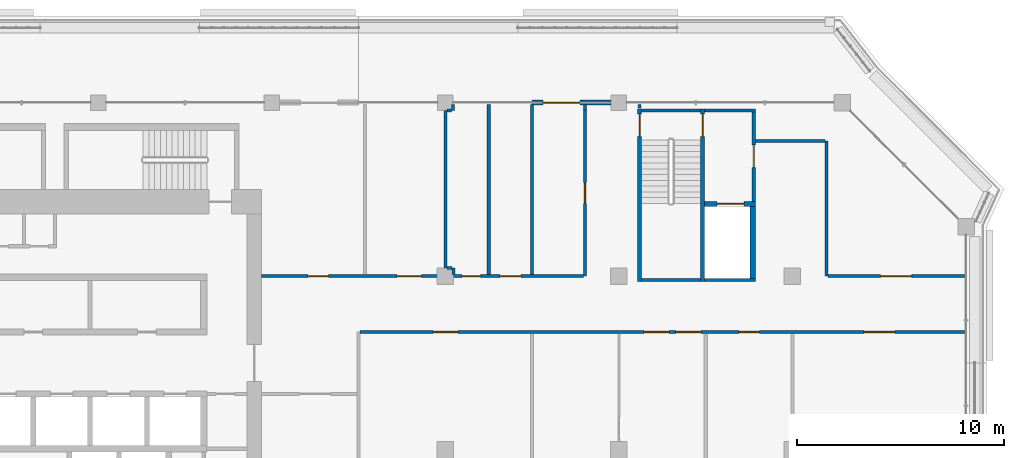
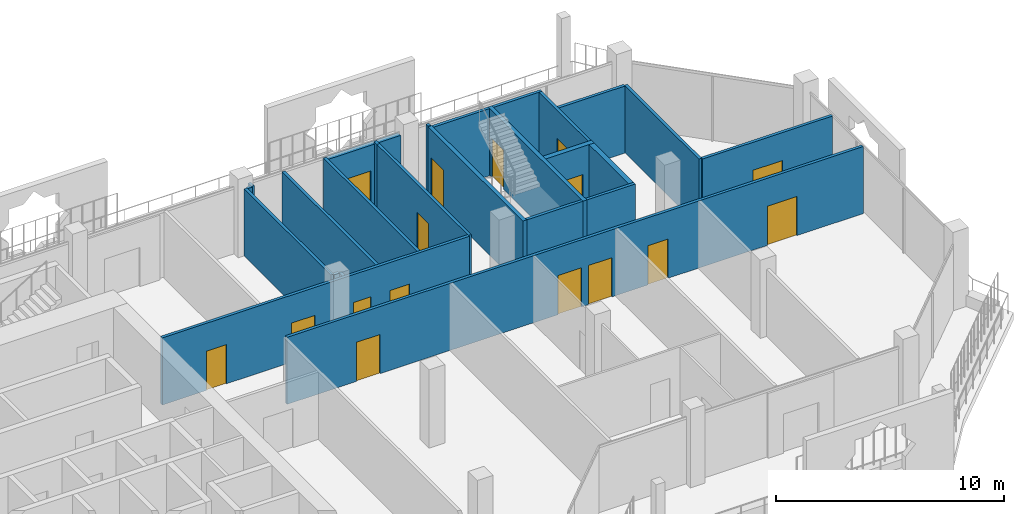
# One storey, part 13 of 21: 25 walls, 16 doors, 16 openings.
"""IFC4 building model written with IfcOpenShell, lengths in metres."""

from ifc_helpers import new_model, si_unit, direction, frame, frame_2d, origin, place, context, subcontext, project, spatial, rectangle, extrude, material, layer, layer_set, type_object, element, fill, save


model = new_model("IFC4")

# Units and contexts
model_context = context("Model", 3, precision=1e-05, world=origin(), true_north=direction((0.0, 1.0)))
body_context = subcontext(model_context, "Body", "Model", "MODEL_VIEW")
ifc_project = project(units=[si_unit("LENGTHUNIT", "METRE"), si_unit("AREAUNIT", "SQUARE_METRE"), si_unit("VOLUMEUNIT", "CUBIC_METRE"), si_unit("PLANEANGLEUNIT", "RADIAN"), si_unit("MASSUNIT", "GRAM", prefix="KILO")], contexts=[model_context])

# Site, building, storey
site_placement = place(None, origin())
site = spatial("IfcSite", under=ifc_project, at=site_placement, CompositionType="ELEMENT")
building_placement = place(site_placement, origin())
building = spatial("IfcBuilding", under=site, at=building_placement, Name="Kawkab Arch Medical Tower", CompositionType="ELEMENT")
storey_placement = place(building_placement, frame((0.0, 0.0, 311.199951171875)))
storey = spatial("IfcBuildingStorey", under=building, at=storey_placement, Name="L72", CompositionType="ELEMENT", Elevation=311.199951171875)

# Wall, opening, door
ifc_material_1 = material(Name="Gypsum board on steel studs", Category="steel")
ifc_layer_1 = layer(ifc_material_1, 0.14990234375)
ifc_layer_set_1 = layer_set([ifc_layer_1], Name="Gypsum board on steel studs")
wall_type_1 = type_object("IfcWallType", Name="Core room partition 150", PredefinedType="PARTITIONING", material=ifc_layer_set_1)
wall_1_placement = place(storey_placement, frame((48.52490234375, -4.77490234375, 0.0), z_axis=(0.0, 0.0, 1.0), x_axis=(0.0, 1.0, 0.0)))
wall_1 = element("IfcWall", 1, at=wall_1_placement, inside=storey, type_object=wall_type_1, Name="L72 core room partition", PredefinedType="PARTITIONING", context=body_context, shape_type="SweptSolid", body=[
    extrude(rectangle(XDim=4.324951171875, YDim=0.14990234375, at=frame_2d((2.16259765625, 0.0))), origin(), (0.0, 0.0, 1.0), 3.60009765625),
])
opening_1_placement = place(wall_1_placement, frame((1.625, 0.0, 0.0)))
opening_1 = element("IfcOpeningElement", 2, at=opening_1_placement, cuts=wall_1, Name="Opening FD", PredefinedType="OPENING", context=body_context, shape_type="SweptSolid", body=[
    extrude(rectangle(XDim=1.10009765625, YDim=2.10009765625, at=frame_2d((0.550048828125, 1.050048828125))), frame((0.0, 0.0849609375, 0.0), z_axis=(0.0, -1.0, 0.0), x_axis=(1.0, 0.0, 0.0)), (0.0, 0.0, 1.0), 0.169921875),
])
ifc_material_2 = material(Name="Hollow metal fire door leaf")
door_type_1 = type_object("IfcDoorType", Name="Firefighting lobby door 1100", OperationType="SINGLE_SWING_LEFT", PredefinedType="DOOR", material=ifc_material_2)
door_1_placement = place(opening_1_placement, origin())
door_1 = element("IfcDoor", 3, at=door_1_placement, inside=storey, type_object=door_type_1, Name="L72 Service lift lobby door SV1", OperationType="SINGLE_SWING_LEFT", OverallHeight=2.10009765625, OverallWidth=1.10009765625, PredefinedType="DOOR", context=body_context, shape_type="SweptSolid", body=[
    extrude(rectangle(XDim=1.10009765625, YDim=2.10009765625, at=frame_2d((0.550048828125, 1.050048828125))), frame((0.0, 0.02490234375, 0.0), z_axis=(0.0, -1.0, 0.0), x_axis=(1.0, 0.0, 0.0)), (0.0, 0.0, 1.0), 0.050048828125),
])
fill(opening_1, door_1)

ifc_material_3 = material(Name="Concrete C60/75", Category="concrete")
ifc_layer_2 = layer(ifc_material_3, 0.25)
ifc_layer_set_2 = layer_set([ifc_layer_2], Name="Concrete C60/75")
wall_type_2 = type_object("IfcWallType", Name="Core shear wall 250 C60/75", PredefinedType="SHEAR", material=ifc_layer_set_2)
wall_2_placement = place(storey_placement, frame((46.14990234375, -4.89990234375, 0.0), z_axis=(0.0, 0.0, 1.0), x_axis=(1.0, 0.0, 0.0)))
wall_2 = element("IfcWall", 4, at=wall_2_placement, inside=storey, type_object=wall_type_2, Name="L72 core shear wall", PredefinedType="SHEAR", context=body_context, shape_type="SweptSolid", body=[
    extrude(rectangle(XDim=2.4501953125, YDim=0.25, at=frame_2d((1.22509765625, 0.0))), origin(), (0.0, 0.0, 1.0), 3.60009765625),
])
opening_2_placement = place(wall_2_placement, frame((0.60009765625, 0.0, 0.0)))
opening_2 = element("IfcOpeningElement", 5, at=opening_2_placement, cuts=wall_2, Name="Opening LD2", PredefinedType="OPENING", context=body_context, shape_type="SweptSolid", body=[
    extrude(rectangle(XDim=1.300048828125, YDim=2.10009765625, at=frame_2d((0.64990234375, 1.050048828125))), frame((0.0, 0.135009765625, 0.0), z_axis=(0.0, -1.0, 0.0), x_axis=(1.0, 0.0, 0.0)), (0.0, 0.0, 1.0), 0.27001953125),
])
ifc_material_4 = material(Name="Stainless steel lift door leaf", Category="steel")
door_type_2 = type_object("IfcDoorType", Name="Lift landing door 1300", OperationType="DOUBLE_DOOR_SLIDING", PredefinedType="DOOR", material=ifc_material_4)
door_2_placement = place(opening_2_placement, origin())
door_2 = element("IfcDoor", 6, at=door_2_placement, inside=storey, type_object=door_type_2, Name="L72 Lift landing door SV1", OperationType="DOUBLE_DOOR_SLIDING", OverallHeight=2.10009765625, OverallWidth=1.300048828125, PredefinedType="DOOR", context=body_context, shape_type="SweptSolid", body=[
    extrude(rectangle(XDim=1.300048828125, YDim=2.10009765625, at=frame_2d((0.64990234375, 1.050048828125))), frame((0.0, 0.02490234375, 0.0), z_axis=(0.0, -1.0, 0.0), x_axis=(1.0, 0.0, 0.0)), (0.0, 0.0, 1.0), 0.050048828125),
])
fill(opening_2, door_2)

# Wall
wall_3_placement = place(storey_placement, frame((48.47509765625, -8.5, 0.0), z_axis=(0.0, 0.0, 1.0), x_axis=(0.0, 1.0, 0.0)))
element("IfcWall", 7, at=wall_3_placement, inside=storey, type_object=wall_type_2, Name="L72 core shear wall", PredefinedType="SHEAR", context=body_context, shape_type="SweptSolid", body=[
    extrude(rectangle(XDim=3.47509765625, YDim=0.25, at=frame_2d((1.737548828125, 0.0))), origin(), (0.0, 0.0, 1.0), 3.60009765625),
])

# Wall, opening, door
ifc_material_5 = material(Name="Bronze clad insulated wall panel")
ifc_layer_3 = layer(ifc_material_5, 0.25)
ifc_layer_set_3 = layer_set([ifc_layer_3], Name="Bronze clad insulated wall panel")
wall_type_3 = type_object("IfcWallType", Name="External wall bay 250", PredefinedType="SOLIDWALL", material=ifc_layer_set_3)
wall_4_placement = place(storey_placement, frame((41.625, 0.0, 0.0), z_axis=(0.0, 0.0, 1.0), x_axis=(-1.0, 0.0, 0.0)))
wall_4 = element("IfcWall", 8, at=wall_4_placement, inside=storey, type_object=wall_type_3, Name="External wall bay L72.R15.2.1", PredefinedType="SOLIDWALL", context=body_context, shape_type="SweptSolid", body=[
    extrude(rectangle(XDim=3.824951171875, YDim=0.25, at=frame_2d((1.91259765625, 0.0))), origin(), (0.0, 0.0, 1.0), 3.47998046875),
])
opening_3_placement = place(wall_4_placement, frame((1.512451171875, 0.0, 0.0)))
opening_3 = element("IfcOpeningElement", 9, at=opening_3_placement, cuts=wall_4, Name="Opening W67-701", PredefinedType="OPENING", context=body_context, shape_type="SweptSolid", body=[
    extrude(rectangle(XDim=1.800048828125, YDim=2.10009765625, at=frame_2d((0.89990234375, 1.050048828125))), frame((0.0, 0.135009765625, 0.0), z_axis=(0.0, -1.0, 0.0), x_axis=(1.0, 0.0, 0.0)), (0.0, 0.0, 1.0), 0.27001953125),
])
ifc_material_6 = material(Name="Bronze anodised aluminium door with tinted glass", Category="aluminium")
door_type_3 = type_object("IfcDoorType", Name="Double external door 1800 x 2100", OperationType="DOUBLE_DOOR_SINGLE_SWING", PredefinedType="DOOR", material=ifc_material_6)
door_3_placement = place(opening_3_placement, origin())
door_3 = element("IfcDoor", 10, at=door_3_placement, inside=storey, type_object=door_type_3, Name="External door L72.R15.2.1", OperationType="DOUBLE_DOOR_SINGLE_SWING", OverallHeight=2.10009765625, OverallWidth=1.800048828125, PredefinedType="DOOR", context=body_context, shape_type="SweptSolid", body=[
    extrude(rectangle(XDim=1.800048828125, YDim=2.10009765625, at=frame_2d((0.89990234375, 1.050048828125))), frame((0.0, 0.02490234375, 0.0), z_axis=(0.0, -1.0, 0.0), x_axis=(1.0, 0.0, 0.0)), (0.0, 0.0, 1.0), 0.050048828125),
])
fill(opening_3, door_3)

# Wall, openings, doors
ifc_material_7 = material(Name="Gypsum board partition on steel studs, mineral wool", Category="steel")
ifc_layer_4 = layer(ifc_material_7, 0.14990234375)
ifc_layer_set_4 = layer_set([ifc_layer_4], Name="Gypsum board partition on steel studs, mineral wool")
wall_type_4 = type_object("IfcWallType", Name="Partition 150", PredefinedType="PARTITIONING", material=ifc_layer_set_4)
wall_5_placement = place(storey_placement, frame((29.47509765625, -11.10009765625, 0.0), z_axis=(0.0, 0.0, 1.0), x_axis=(1.0, 0.0, 0.0)))
wall_5 = element("IfcWall", 11, at=wall_5_placement, inside=storey, type_object=wall_type_4, Name="Partition 150 w011", PredefinedType="PARTITIONING", context=body_context, shape_type="SweptSolid", body=[
    extrude(rectangle(XDim=29.244873046875, YDim=0.14990234375, at=frame_2d((14.62255859375, 0.0))), origin(), (0.0, 0.0, 1.0), 3.60009765625),
])
opening_4_placement = place(wall_5_placement, frame((3.52490234375, 0.0, 0.0)))
opening_4 = element("IfcOpeningElement", 12, at=opening_4_placement, cuts=wall_5, Name="Opening W67-016", PredefinedType="OPENING", context=body_context, shape_type="SweptSolid", body=[
    extrude(rectangle(XDim=1.199951171875, YDim=2.10009765625, at=frame_2d((0.60009765625, 1.050048828125))), frame((0.0, 0.0849609375, 0.0), z_axis=(0.0, -1.0, 0.0), x_axis=(1.0, 0.0, 0.0)), (0.0, 0.0, 1.0), 0.169921875),
])
opening_5_placement = place(wall_5_placement, frame((15.284912109375, 0.0, 0.0)))
opening_5 = element("IfcOpeningElement", 13, at=opening_5_placement, cuts=wall_5, Name="Opening W67-017", PredefinedType="OPENING", context=body_context, shape_type="SweptSolid", body=[
    extrude(rectangle(XDim=1.199951171875, YDim=2.10009765625, at=frame_2d((0.60009765625, 1.050048828125))), frame((0.0, 0.0849609375, 0.0), z_axis=(0.0, -1.0, 0.0), x_axis=(1.0, 0.0, 0.0)), (0.0, 0.0, 1.0), 0.169921875),
])
opening_6_placement = place(wall_5_placement, frame((13.7451171875, 0.0, 0.0)))
opening_6 = element("IfcOpeningElement", 14, at=opening_6_placement, cuts=wall_5, Name="Opening W67-018", PredefinedType="OPENING", context=body_context, shape_type="SweptSolid", body=[
    extrude(rectangle(XDim=1.199951171875, YDim=2.10009765625, at=frame_2d((0.60009765625, 1.050048828125))), frame((0.0, 0.0849609375, 0.0), z_axis=(0.0, -1.0, 0.0), x_axis=(1.0, 0.0, 0.0)), (0.0, 0.0, 1.0), 0.169921875),
])
opening_7_placement = place(wall_5_placement, frame((18.324951171875, 0.0, 0.0)))
opening_7 = element("IfcOpeningElement", 15, at=opening_7_placement, cuts=wall_5, Name="Opening W67-010", PredefinedType="OPENING", context=body_context, shape_type="SweptSolid", body=[
    extrude(rectangle(XDim=1.0, YDim=2.10009765625, at=frame_2d((0.5, 1.050048828125))), frame((0.0, 0.0849609375, 0.0), z_axis=(0.0, -1.0, 0.0), x_axis=(1.0, 0.0, 0.0)), (0.0, 0.0, 1.0), 0.169921875),
])
opening_8_placement = place(wall_5_placement, frame((24.375, 0.0, 0.0)))
opening_8 = element("IfcOpeningElement", 16, at=opening_8_placement, cuts=wall_5, Name="Opening W67-003", PredefinedType="OPENING", context=body_context, shape_type="SweptSolid", body=[
    extrude(rectangle(XDim=1.5, YDim=2.10009765625, at=frame_2d((0.75, 1.050048828125))), frame((0.0, 0.0849609375, 0.0), z_axis=(0.0, -1.0, 0.0), x_axis=(1.0, 0.0, 0.0)), (0.0, 0.0, 1.0), 0.169921875),
])
ifc_material_8 = material(Name="Hollow metal door leaf")
door_type_4 = type_object("IfcDoorType", Name="Double door 1500x2100 FD30S", OperationType="NOTDEFINED", PredefinedType="DOOR", material=ifc_material_8)
door_4_placement = place(opening_8_placement, origin())
door_4 = element("IfcDoor", 17, at=door_4_placement, inside=storey, type_object=door_type_4, Name="Door W67-003", OperationType="DOUBLE_DOOR_SINGLE_SWING", OverallHeight=2.10009765625, OverallWidth=1.5, PredefinedType="DOOR", context=body_context, shape_type="SweptSolid", body=[
    extrude(rectangle(XDim=1.5, YDim=2.10009765625, at=frame_2d((0.75, 1.050048828125))), frame((0.0, 0.02490234375, 0.0), z_axis=(0.0, -1.0, 0.0), x_axis=(1.0, 0.0, 0.0)), (0.0, 0.0, 1.0), 0.050048828125),
])
fill(opening_8, door_4)
ifc_material_9 = material(Name="Hollow metal door leaf")
door_type_5 = type_object("IfcDoorType", Name="Single door 1000x2100 FD30S", OperationType="NOTDEFINED", PredefinedType="DOOR", material=ifc_material_9)
door_5_placement = place(opening_7_placement, origin())
door_5 = element("IfcDoor", 18, at=door_5_placement, inside=storey, type_object=door_type_5, Name="Door W67-010", OperationType="SINGLE_SWING_LEFT", OverallHeight=2.10009765625, OverallWidth=1.0, PredefinedType="DOOR", context=body_context, shape_type="SweptSolid", body=[
    extrude(rectangle(XDim=1.0, YDim=2.10009765625, at=frame_2d((0.5, 1.050048828125))), frame((0.0, 0.02490234375, 0.0), z_axis=(0.0, -1.0, 0.0), x_axis=(1.0, 0.0, 0.0)), (0.0, 0.0, 1.0), 0.050048828125),
])
fill(opening_7, door_5)
ifc_material_10 = material(Name="Hollow metal door leaf")
door_type_6 = type_object("IfcDoorType", Name="Single door 1200x2100 FD30S", OperationType="NOTDEFINED", PredefinedType="DOOR", material=ifc_material_10)
door_6_placement = place(opening_4_placement, origin())
door_6 = element("IfcDoor", 19, at=door_6_placement, inside=storey, type_object=door_type_6, Name="Door W67-016", OperationType="SINGLE_SWING_RIGHT", OverallHeight=2.10009765625, OverallWidth=1.199951171875, PredefinedType="DOOR", context=body_context, shape_type="SweptSolid", body=[
    extrude(rectangle(XDim=1.199951171875, YDim=2.10009765625, at=frame_2d((0.60009765625, 1.050048828125))), frame((0.0, 0.02490234375, 0.0), z_axis=(0.0, -1.0, 0.0), x_axis=(1.0, 0.0, 0.0)), (0.0, 0.0, 1.0), 0.050048828125),
])
fill(opening_4, door_6)
door_7_placement = place(opening_5_placement, origin())
door_7 = element("IfcDoor", 20, at=door_7_placement, inside=storey, type_object=door_type_6, Name="Door W67-017", OperationType="SINGLE_SWING_LEFT", OverallHeight=2.10009765625, OverallWidth=1.199951171875, PredefinedType="DOOR", context=body_context, shape_type="SweptSolid", body=[
    extrude(rectangle(XDim=1.199951171875, YDim=2.10009765625, at=frame_2d((0.60009765625, 1.050048828125))), frame((0.0, 0.02490234375, 0.0), z_axis=(0.0, -1.0, 0.0), x_axis=(1.0, 0.0, 0.0)), (0.0, 0.0, 1.0), 0.050048828125),
])
fill(opening_5, door_7)
door_8_placement = place(opening_6_placement, origin())
door_8 = element("IfcDoor", 21, at=door_8_placement, inside=storey, type_object=door_type_6, Name="Door W67-018", OperationType="SINGLE_SWING_LEFT", OverallHeight=2.10009765625, OverallWidth=1.199951171875, PredefinedType="DOOR", context=body_context, shape_type="SweptSolid", body=[
    extrude(rectangle(XDim=1.199951171875, YDim=2.10009765625, at=frame_2d((0.60009765625, 1.050048828125))), frame((0.0, 0.02490234375, 0.0), z_axis=(0.0, -1.0, 0.0), x_axis=(1.0, 0.0, 0.0)), (0.0, 0.0, 1.0), 0.050048828125),
])
fill(opening_6, door_8)

wall_6_placement = place(storey_placement, frame((24.699951171875, -8.39990234375, 0.0), z_axis=(0.0, 0.0, 1.0), x_axis=(1.0, 0.0, 0.0)))
wall_6 = element("IfcWall", 22, at=wall_6_placement, inside=storey, type_object=wall_type_4, Name="Partition 150 w013", PredefinedType="PARTITIONING", context=body_context, shape_type="SweptSolid", body=[
    extrude(rectangle(XDim=15.58203125, YDim=0.14990234375, at=frame_2d((7.791015625, 0.0))), origin(), (0.0, 0.0, 1.0), 3.60009765625),
])
opening_9_placement = place(wall_6_placement, frame((2.25, 0.0, 0.0)))
opening_9 = element("IfcOpeningElement", 23, at=opening_9_placement, cuts=wall_6, Name="Opening W67-009", PredefinedType="OPENING", context=body_context, shape_type="SweptSolid", body=[
    extrude(rectangle(XDim=1.0, YDim=2.10009765625, at=frame_2d((0.5, 1.050048828125))), frame((0.0, 0.0849609375, 0.0), z_axis=(0.0, -1.0, 0.0), x_axis=(1.0, 0.0, 0.0)), (0.0, 0.0, 1.0), 0.169921875),
])
opening_10_placement = place(wall_6_placement, frame((6.550048828125, 0.0, 0.0)))
opening_10 = element("IfcOpeningElement", 24, at=opening_10_placement, cuts=wall_6, Name="Opening W67-015", PredefinedType="OPENING", context=body_context, shape_type="SweptSolid", body=[
    extrude(rectangle(XDim=1.199951171875, YDim=2.10009765625, at=frame_2d((0.60009765625, 1.050048828125))), frame((0.0, 0.0849609375, 0.0), z_axis=(0.0, -1.0, 0.0), x_axis=(1.0, 0.0, 0.0)), (0.0, 0.0, 1.0), 0.169921875),
])
opening_11_placement = place(wall_6_placement, frame((9.699951171875, 0.0, 0.0)))
opening_11 = element("IfcOpeningElement", 25, at=opening_11_placement, cuts=wall_6, Name="Opening W67-005", PredefinedType="OPENING", context=body_context, shape_type="SweptSolid", body=[
    extrude(rectangle(XDim=0.89990234375, YDim=2.10009765625, at=frame_2d((0.449951171875, 1.050048828125))), frame((0.0, 0.0849609375, 0.0), z_axis=(0.0, -1.0, 0.0), x_axis=(1.0, 0.0, 0.0)), (0.0, 0.0, 1.0), 0.169921875),
])
opening_12_placement = place(wall_6_placement, frame((11.550048828125, 0.0, 0.0)))
opening_12 = element("IfcOpeningElement", 26, at=opening_12_placement, cuts=wall_6, Name="Opening W67-008", PredefinedType="OPENING", context=body_context, shape_type="SweptSolid", body=[
    extrude(rectangle(XDim=1.0, YDim=2.10009765625, at=frame_2d((0.5, 1.050048828125))), frame((0.0, 0.0849609375, 0.0), z_axis=(0.0, -1.0, 0.0), x_axis=(1.0, 0.0, 0.0)), (0.0, 0.0, 1.0), 0.169921875),
])
ifc_material_11 = material(Name="Timber door leaf", Category="wood")
door_type_7 = type_object("IfcDoorType", Name="Single door 1000x2100", OperationType="NOTDEFINED", PredefinedType="DOOR", material=ifc_material_11)
door_9_placement = place(opening_12_placement, origin())
door_9 = element("IfcDoor", 27, at=door_9_placement, inside=storey, type_object=door_type_7, Name="Door W67-008", OperationType="SINGLE_SWING_RIGHT", OverallHeight=2.10009765625, OverallWidth=1.0, PredefinedType="DOOR", context=body_context, shape_type="SweptSolid", body=[
    extrude(rectangle(XDim=1.0, YDim=2.10009765625, at=frame_2d((0.5, 1.050048828125))), frame((0.0, 0.02490234375, 0.0), z_axis=(0.0, -1.0, 0.0), x_axis=(1.0, 0.0, 0.0)), (0.0, 0.0, 1.0), 0.050048828125),
])
fill(opening_12, door_9)
door_10_placement = place(opening_9_placement, origin())
door_10 = element("IfcDoor", 28, at=door_10_placement, inside=storey, type_object=door_type_5, Name="Door W67-009", OperationType="SINGLE_SWING_LEFT", OverallHeight=2.10009765625, OverallWidth=1.0, PredefinedType="DOOR", context=body_context, shape_type="SweptSolid", body=[
    extrude(rectangle(XDim=1.0, YDim=2.10009765625, at=frame_2d((0.5, 1.050048828125))), frame((0.0, 0.02490234375, 0.0), z_axis=(0.0, -1.0, 0.0), x_axis=(1.0, 0.0, 0.0)), (0.0, 0.0, 1.0), 0.050048828125),
])
fill(opening_9, door_10)
door_11_placement = place(opening_10_placement, origin())
door_11 = element("IfcDoor", 29, at=door_11_placement, inside=storey, type_object=door_type_6, Name="Door W67-015", OperationType="SINGLE_SWING_LEFT", OverallHeight=2.10009765625, OverallWidth=1.199951171875, PredefinedType="DOOR", context=body_context, shape_type="SweptSolid", body=[
    extrude(rectangle(XDim=1.199951171875, YDim=2.10009765625, at=frame_2d((0.60009765625, 1.050048828125))), frame((0.0, 0.02490234375, 0.0), z_axis=(0.0, -1.0, 0.0), x_axis=(1.0, 0.0, 0.0)), (0.0, 0.0, 1.0), 0.050048828125),
])
fill(opening_10, door_11)
ifc_material_12 = material(Name="Timber door leaf", Category="wood")
door_type_8 = type_object("IfcDoorType", Name="Single door 900x2100", OperationType="NOTDEFINED", PredefinedType="DOOR", material=ifc_material_12)
door_12_placement = place(opening_11_placement, origin())
door_12 = element("IfcDoor", 30, at=door_12_placement, inside=storey, type_object=door_type_8, Name="Door W67-005", OperationType="SINGLE_SWING_RIGHT", OverallHeight=2.10009765625, OverallWidth=0.89990234375, PredefinedType="DOOR", context=body_context, shape_type="SweptSolid", body=[
    extrude(rectangle(XDim=0.89990234375, YDim=2.10009765625, at=frame_2d((0.449951171875, 1.050048828125))), frame((0.0, 0.02490234375, 0.0), z_axis=(0.0, -1.0, 0.0), x_axis=(1.0, 0.0, 0.0)), (0.0, 0.0, 1.0), 0.050048828125),
])
fill(opening_11, door_12)

# Wall, opening, door
wall_7_placement = place(storey_placement, frame((52.117919921875, -8.39990234375, 0.0), z_axis=(0.0, 0.0, 1.0), x_axis=(1.0, 0.0, 0.0)))
wall_7 = element("IfcWall", 31, at=wall_7_placement, inside=storey, type_object=wall_type_4, Name="Partition 150 w014", PredefinedType="PARTITIONING", context=body_context, shape_type="SweptSolid", body=[
    extrude(rectangle(XDim=6.60205078125, YDim=0.14990234375, at=frame_2d((3.301025390625, 0.0))), origin(), (0.0, 0.0, 1.0), 3.60009765625),
])
opening_13_placement = place(wall_7_placement, frame((2.552978515625, 0.0, 0.0)))
opening_13 = element("IfcOpeningElement", 32, at=opening_13_placement, cuts=wall_7, Name="Opening W67-002", PredefinedType="OPENING", context=body_context, shape_type="SweptSolid", body=[
    extrude(rectangle(XDim=1.5, YDim=2.10009765625, at=frame_2d((0.75, 1.050048828125))), frame((0.0, 0.0849609375, 0.0), z_axis=(0.0, -1.0, 0.0), x_axis=(1.0, 0.0, 0.0)), (0.0, 0.0, 1.0), 0.169921875),
])
door_13_placement = place(opening_13_placement, origin())
door_13 = element("IfcDoor", 33, at=door_13_placement, inside=storey, type_object=door_type_4, Name="Door W67-002", OperationType="DOUBLE_DOOR_SINGLE_SWING", OverallHeight=2.10009765625, OverallWidth=1.5, PredefinedType="DOOR", context=body_context, shape_type="SweptSolid", body=[
    extrude(rectangle(XDim=1.5, YDim=2.10009765625, at=frame_2d((0.75, 1.050048828125))), frame((0.0, 0.02490234375, 0.0), z_axis=(0.0, -1.0, 0.0), x_axis=(1.0, 0.0, 0.0)), (0.0, 0.0, 1.0), 0.050048828125),
])
fill(opening_13, door_13)

# Walls
wall_8_placement = place(storey_placement, frame((33.677001953125, -8.0, 0.0), z_axis=(0.0, 0.0, 1.0), x_axis=(1.0, 0.0, 0.0)))
element("IfcWall", 34, at=wall_8_placement, inside=storey, type_object=wall_type_4, Name="Partition 150 w015", PredefinedType="PARTITIONING", context=body_context, shape_type="SweptSolid", body=[
    extrude(rectangle(XDim=0.248046875, YDim=0.14990234375, at=frame_2d((0.1240234375, 0.0))), origin(), (0.0, 0.0, 1.0), 3.60009765625),
])
wall_9_placement = place(storey_placement, frame((48.60009765625, -1.85009765625, 0.0), z_axis=(0.0, 0.0, 1.0), x_axis=(1.0, 0.0, 0.0)))
element("IfcWall", 35, at=wall_9_placement, inside=storey, type_object=wall_type_4, Name="Partition 150 w016", PredefinedType="PARTITIONING", context=body_context, shape_type="SweptSolid", body=[
    extrude(rectangle(XDim=3.365966796875, YDim=0.14990234375, at=frame_2d((1.68310546875, 0.0))), origin(), (0.0, 0.0, 1.0), 3.60009765625),
])
wall_10_placement = place(storey_placement, frame((33.677978515625, -0.375, 0.0), z_axis=(0.0, 0.0, 1.0), x_axis=(1.0, 0.0, 0.0)))
element("IfcWall", 36, at=wall_10_placement, inside=storey, type_object=wall_type_4, Name="Partition 150 w017", PredefinedType="PARTITIONING", context=body_context, shape_type="SweptSolid", body=[
    extrude(rectangle(XDim=0.221923828125, YDim=0.14990234375, at=frame_2d((0.11083984375, 0.0))), origin(), (0.0, 0.0, 1.0), 3.60009765625),
])
wall_11_placement = place(storey_placement, frame((33.60009765625, -7.998046875, 0.0), z_axis=(0.0, 0.0, 1.0), x_axis=(0.0, 1.0, 0.0)))
element("IfcWall", 37, at=wall_11_placement, inside=storey, type_object=wall_type_4, Name="Partition 150 w023", PredefinedType="PARTITIONING", context=body_context, shape_type="SweptSolid", body=[
    extrude(rectangle(XDim=7.6201171875, YDim=0.14990234375, at=frame_2d((3.81005859375, 0.0))), origin(), (0.0, 0.0, 1.0), 3.60009765625),
])
wall_12_placement = place(storey_placement, frame((33.97509765625, -0.375, 0.0), z_axis=(0.0, 0.0, 1.0), x_axis=(0.0, 1.0, 0.0)))
element("IfcWall", 38, at=wall_12_placement, inside=storey, type_object=wall_type_4, Name="Partition 150 w024", PredefinedType="PARTITIONING", context=body_context, shape_type="SweptSolid", body=[
    extrude(rectangle(XDim=0.294921875, YDim=0.14990234375, at=frame_2d((0.1474609375, 0.0))), origin(), (0.0, 0.0, 1.0), 3.60009765625),
])
wall_13_placement = place(storey_placement, frame((34.0, -8.324951171875, 0.0), z_axis=(0.0, 0.0, 1.0), x_axis=(0.0, 1.0, 0.0)))
element("IfcWall", 39, at=wall_13_placement, inside=storey, type_object=wall_type_4, Name="Partition 150 w025", PredefinedType="PARTITIONING", context=body_context, shape_type="SweptSolid", body=[
    extrude(rectangle(XDim=0.324951171875, YDim=0.14990234375, at=frame_2d((0.16259765625, 0.0))), origin(), (0.0, 0.0, 1.0), 3.60009765625),
])
for number, where, z_axis, x_axis, name in (
    (40, (35.699951171875, -8.324951171875, 0.0), (0.0, 0.0, 1.0), (0.0, 1.0, 0.0), "Partition 150 w026"),
    (41, (37.800048828125, -8.324951171875, 0.0), (0.0, 0.0, 1.0), (0.0, 1.0, 0.0), "Partition 150 w028"),
):
    element("IfcWall", number, at=place(storey_placement, frame(where, z_axis=z_axis, x_axis=x_axis)), inside=storey, type_object=wall_type_4, Name=name, PredefinedType="PARTITIONING", context=body_context, shape_type="SweptSolid", body=[
        extrude(rectangle(XDim=8.244873046875, YDim=0.14990234375, at=frame_2d((4.12255859375, 0.0))), origin(), (0.0, 0.0, 1.0), 3.60009765625),
    ])

# Wall, opening, door
wall_14_placement = place(storey_placement, frame((40.35693359375, -8.39990234375, 0.0), z_axis=(0.0, 0.0, 1.0), x_axis=(0.0, 1.0, 0.0)))
wall_14 = element("IfcWall", 42, at=wall_14_placement, inside=storey, type_object=wall_type_4, Name="Partition 150 w029", PredefinedType="PARTITIONING", context=body_context, shape_type="SweptSolid", body=[
    extrude(rectangle(XDim=8.0478515625, YDim=0.14990234375, at=frame_2d((4.02392578125, 0.0))), origin(), (0.0, 0.0, 1.0), 3.60009765625),
])
opening_14_placement = place(wall_14_placement, frame((3.52392578125, 0.0, 0.0)))
opening_14 = element("IfcOpeningElement", 43, at=opening_14_placement, cuts=wall_14, Name="Opening W67-014", PredefinedType="OPENING", context=body_context, shape_type="SweptSolid", body=[
    extrude(rectangle(XDim=1.0, YDim=2.10009765625, at=frame_2d((0.5, 1.050048828125))), frame((0.0, 0.0849609375, 0.0), z_axis=(0.0, -1.0, 0.0), x_axis=(1.0, 0.0, 0.0)), (0.0, 0.0, 1.0), 0.169921875),
])
door_14_placement = place(opening_14_placement, origin())
door_14 = element("IfcDoor", 44, at=door_14_placement, inside=storey, type_object=door_type_5, Name="Door W67-014", OperationType="SINGLE_SWING_LEFT", OverallHeight=2.10009765625, OverallWidth=1.0, PredefinedType="DOOR", context=body_context, shape_type="SweptSolid", body=[
    extrude(rectangle(XDim=1.0, YDim=2.10009765625, at=frame_2d((0.5, 1.050048828125))), frame((0.0, 0.02490234375, 0.0), z_axis=(0.0, -1.0, 0.0), x_axis=(1.0, 0.0, 0.0)), (0.0, 0.0, 1.0), 0.050048828125),
])
fill(opening_14, door_14)

# Walls
wall_15_placement = place(storey_placement, frame((40.35693359375, -0.35009765625, 0.0), z_axis=(0.0, 0.0, 1.0), x_axis=(0.0, 1.0, 0.0)))
element("IfcWall", 45, at=wall_15_placement, inside=storey, type_object=wall_type_4, Name="Partition 150 w030", PredefinedType="PARTITIONING", context=body_context, shape_type="SweptSolid", body=[
    extrude(rectangle(XDim=0.27001953125, YDim=0.14990234375, at=frame_2d((0.135009765625, 0.0))), origin(), (0.0, 0.0, 1.0), 3.60009765625),
])
wall_16_placement = place(storey_placement, frame((43.0, -0.27001953125, 0.0), z_axis=(0.0, 0.0, 1.0), x_axis=(0.0, 1.0, 0.0)))
element("IfcWall", 46, at=wall_16_placement, inside=storey, type_object=wall_type_4, Name="Partition 150 w031", PredefinedType="PARTITIONING", context=body_context, shape_type="SweptSolid", body=[
    extrude(rectangle(XDim=0.18994140625, YDim=0.14990234375, at=frame_2d((0.094970703125, 0.0))), origin(), (0.0, 0.0, 1.0), 3.60009765625),
])
wall_17_placement = place(storey_placement, frame((52.04296875, -8.39990234375, 0.0), z_axis=(0.0, 0.0, 1.0), x_axis=(0.0, 1.0, 0.0)))
element("IfcWall", 47, at=wall_17_placement, inside=storey, type_object=wall_type_4, Name="Partition 150 w034", PredefinedType="PARTITIONING", context=body_context, shape_type="SweptSolid", body=[
    extrude(rectangle(XDim=6.5478515625, YDim=0.14990234375, at=frame_2d((3.27392578125, 0.0))), origin(), (0.0, 0.0, 1.0), 3.60009765625),
])
ifc_material_13 = material(Name="Concrete C50/60", Category="concrete")
ifc_layer_5 = layer(ifc_material_13, 0.14990234375)
ifc_layer_set_5 = layer_set([ifc_layer_5], Name="Concrete C50/60")
wall_type_5 = type_object("IfcWallType", Name="Stair enclosure wall 150 C50/60", PredefinedType="SHEAR", material=ifc_layer_set_5)
wall_18_placement = place(storey_placement, frame((43.10009765625, -0.375, 0.0), z_axis=(0.0, 0.0, 1.0), x_axis=(1.0, 0.0, 0.0)))
element("IfcWall", 48, at=wall_18_placement, inside=storey, type_object=wall_type_5, Name="L72 stair enclosure wall", PredefinedType="SHEAR", context=body_context, shape_type="SweptSolid", body=[
    extrude(rectangle(XDim=2.849853515625, YDim=0.14990234375, at=frame_2d((1.4248046875, 0.0))), origin(), (0.0, 0.0, 1.0), 3.60009765625),
])
wall_19_placement = place(storey_placement, frame((46.14990234375, -0.375, 0.0), z_axis=(0.0, 0.0, 1.0), x_axis=(1.0, 0.0, 0.0)))
element("IfcWall", 49, at=wall_19_placement, inside=storey, type_object=wall_type_5, Name="L72 stair enclosure wall", PredefinedType="SHEAR", context=body_context, shape_type="SweptSolid", body=[
    extrude(rectangle(XDim=2.4501953125, YDim=0.14990234375, at=frame_2d((1.22509765625, 0.0))), origin(), (0.0, 0.0, 1.0), 3.60009765625),
])
wall_20_placement = place(storey_placement, frame((43.10009765625, -8.574951171875, 0.0), z_axis=(0.0, 0.0, 1.0), x_axis=(1.0, 0.0, 0.0)))
element("IfcWall", 50, at=wall_20_placement, inside=storey, type_object=wall_type_5, Name="L72 stair enclosure wall", PredefinedType="SHEAR", context=body_context, shape_type="SweptSolid", body=[
    extrude(rectangle(XDim=2.849853515625, YDim=0.14990234375, at=frame_2d((1.4248046875, 0.0))), origin(), (0.0, 0.0, 1.0), 3.60009765625),
])
wall_21_placement = place(storey_placement, frame((46.14990234375, -8.574951171875, 0.0), z_axis=(0.0, 0.0, 1.0), x_axis=(1.0, 0.0, 0.0)))
element("IfcWall", 51, at=wall_21_placement, inside=storey, type_object=wall_type_5, Name="L72 stair enclosure wall", PredefinedType="SHEAR", context=body_context, shape_type="SweptSolid", body=[
    extrude(rectangle(XDim=2.4501953125, YDim=0.14990234375, at=frame_2d((1.22509765625, 0.0))), origin(), (0.0, 0.0, 1.0), 3.60009765625),
])

# Wall, opening, door
ifc_material_14 = material(Name="Concrete C50/60", Category="concrete")
ifc_layer_6 = layer(ifc_material_14, 0.199951171875)
ifc_layer_set_6 = layer_set([ifc_layer_6], Name="Concrete C50/60")
wall_type_6 = type_object("IfcWallType", Name="Stair enclosure wall 200 C50/60", PredefinedType="SHEAR", material=ifc_layer_set_6)
wall_22_placement = place(storey_placement, frame((43.0, -8.64990234375, 0.0), z_axis=(0.0, 0.0, 1.0), x_axis=(0.0, 1.0, 0.0)))
wall_22 = element("IfcWall", 52, at=wall_22_placement, inside=storey, type_object=wall_type_6, Name="L72 stair enclosure wall", PredefinedType="SHEAR", context=body_context, shape_type="SweptSolid", body=[
    extrude(rectangle(XDim=8.349853515625, YDim=0.199951171875, at=frame_2d((4.1748046875, 0.0))), origin(), (0.0, 0.0, 1.0), 3.60009765625),
])
opening_15_placement = place(wall_22_placement, frame((7.0, 0.0, 0.0)))
opening_15 = element("IfcOpeningElement", 53, at=opening_15_placement, cuts=wall_22, Name="Opening SD", PredefinedType="OPENING", context=body_context, shape_type="SweptSolid", body=[
    extrude(rectangle(XDim=1.10009765625, YDim=2.10009765625, at=frame_2d((0.550048828125, 1.050048828125))), frame((0.0, 0.10986328125, 0.0), z_axis=(0.0, -1.0, 0.0), x_axis=(1.0, 0.0, 0.0)), (0.0, 0.0, 1.0), 0.219970703125),
])
ifc_material_15 = material(Name="Hollow metal fire door leaf")
door_type_9 = type_object("IfcDoorType", Name="Exit stair door 1100", OperationType="SINGLE_SWING_LEFT", PredefinedType="DOOR", material=ifc_material_15)
door_15_placement = place(opening_15_placement, frame((1.10009765625, 0.0, 0.0), z_axis=(0.0, 0.0, 1.0), x_axis=(-1.0, 0.0, 0.0)))
door_15 = element("IfcDoor", 54, at=door_15_placement, inside=storey, type_object=door_type_9, Name="L72 Exit stair ST5 door", OperationType="SINGLE_SWING_LEFT", OverallHeight=2.10009765625, OverallWidth=1.10009765625, PredefinedType="DOOR", context=body_context, shape_type="SweptSolid", body=[
    extrude(rectangle(XDim=1.10009765625, YDim=2.10009765625, at=frame_2d((0.550048828125, 1.050048828125))), frame((0.0, 0.02490234375, 0.0), z_axis=(0.0, -1.0, 0.0), x_axis=(1.0, 0.0, 0.0)), (0.0, 0.0, 1.0), 0.050048828125),
])
fill(opening_15, door_15)

wall_23_placement = place(storey_placement, frame((46.050048828125, -8.64990234375, 0.0), z_axis=(0.0, 0.0, 1.0), x_axis=(0.0, 1.0, 0.0)))
wall_23 = element("IfcWall", 55, at=wall_23_placement, inside=storey, type_object=wall_type_6, Name="L72 stair enclosure wall", PredefinedType="SHEAR", context=body_context, shape_type="SweptSolid", body=[
    extrude(rectangle(XDim=8.349853515625, YDim=0.199951171875, at=frame_2d((4.1748046875, 0.0))), origin(), (0.0, 0.0, 1.0), 3.60009765625),
])
opening_16_placement = place(wall_23_placement, frame((7.0, 0.0, 0.0)))
opening_16 = element("IfcOpeningElement", 56, at=opening_16_placement, cuts=wall_23, Name="Opening SD", PredefinedType="OPENING", context=body_context, shape_type="SweptSolid", body=[
    extrude(rectangle(XDim=1.10009765625, YDim=2.10009765625, at=frame_2d((0.550048828125, 1.050048828125))), frame((0.0, 0.10986328125, 0.0), z_axis=(0.0, -1.0, 0.0), x_axis=(1.0, 0.0, 0.0)), (0.0, 0.0, 1.0), 0.219970703125),
])
door_16_placement = place(opening_16_placement, origin())
door_16 = element("IfcDoor", 57, at=door_16_placement, inside=storey, type_object=door_type_9, Name="L72 Exit stair ST5 lobby door", OperationType="SINGLE_SWING_LEFT", OverallHeight=2.10009765625, OverallWidth=1.10009765625, PredefinedType="DOOR", context=body_context, shape_type="SweptSolid", body=[
    extrude(rectangle(XDim=1.10009765625, YDim=2.10009765625, at=frame_2d((0.550048828125, 1.050048828125))), frame((0.0, 0.02490234375, 0.0), z_axis=(0.0, -1.0, 0.0), x_axis=(1.0, 0.0, 0.0)), (0.0, 0.0, 1.0), 0.050048828125),
])
fill(opening_16, door_16)

save(model, "model.ifc")
